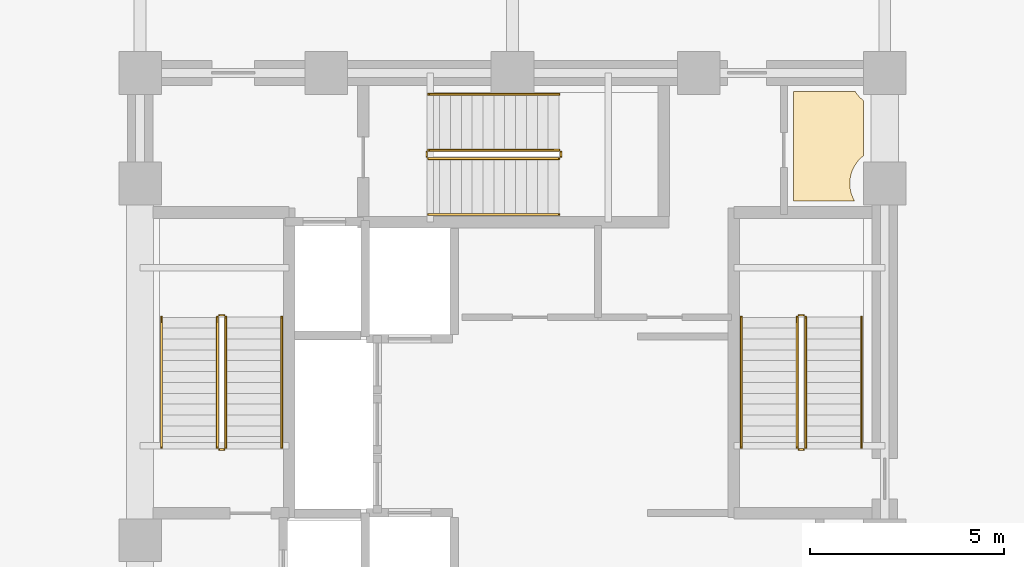
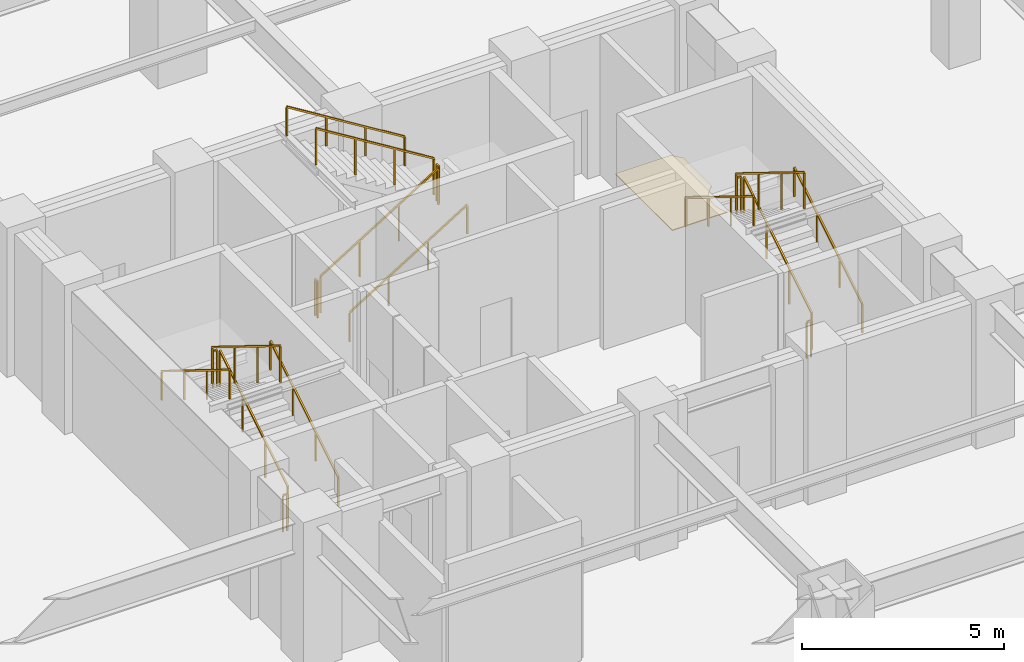
# One storey, part 8 of 12: 18 railings, 1 covering.
"""IFC4 building model written with IfcOpenShell, lengths in metres."""

from ifc_helpers import new_model, si_unit, direction, frame, origin, origin_2d, place, context, subcontext, project, spatial, polyline, rectangle, outline, extrude, material, layer, layer_set, type_object, element, save


model = new_model("IFC4")

# Units and contexts
model_context = context("Model", 3, precision=1e-05, world=origin(), true_north=direction((0.0, 1.0)))
body_context = subcontext(model_context, "Body", "Model", "MODEL_VIEW")
ifc_project = project(units=[si_unit("LENGTHUNIT", "METRE"), si_unit("AREAUNIT", "SQUARE_METRE"), si_unit("VOLUMEUNIT", "CUBIC_METRE"), si_unit("PLANEANGLEUNIT", "RADIAN"), si_unit("MASSUNIT", "GRAM", prefix="KILO")], contexts=[model_context])

# Site, building, storey
site_placement = place(None, origin())
site = spatial("IfcSite", under=ifc_project, at=site_placement, CompositionType="ELEMENT")
building_placement = place(site_placement, origin())
building = spatial("IfcBuilding", under=site, at=building_placement, Name="Vantalir Tower", CompositionType="ELEMENT")
storey_placement = place(building_placement, frame((0.0, 0.0, -4.5)))
storey = spatial("IfcBuildingStorey", under=building, at=storey_placement, Name="B01", CompositionType="ELEMENT", Elevation=-4.5)

# Covering
ifc_material_1 = material(Name="Tropical teak timber and terrazzo floor finish", Category="wood")
ifc_layer = layer(ifc_material_1, 0.02490234375)
ifc_layer_set = layer_set([ifc_layer], Name="Tropical teak timber and terrazzo floor finish")
covering_type = type_object("IfcCoveringType", Name="COV-TIMBER-STONE-25", PredefinedType="FLOORING", material=ifc_layer_set)
covering_placement = place(storey_placement, origin())
element("IfcCovering", 1, at=covering_placement, inside=storey, type_object=covering_type, Name="B01 Core Electrical Switchroom Floor Finish", PredefinedType="FLOORING", context=body_context, shape_type="SweptSolid", body=[
    extrude(outline(polyline([(40.550048828125, 31.738037109375), (40.528076171875, 31.75390625), (40.462890625, 31.81298828125), (40.404052734375, 31.8779296875), (40.35107421875, 31.948974609375), (40.342041015625, 31.965087890625), (38.75, 31.965087890625), (38.75, 29.14990234375), (40.321044921875, 29.14990234375), (40.304931640625, 29.175048828125), (40.26806640625, 29.2548828125), (40.238037109375, 29.337890625), (40.216064453125, 29.424072265625), (40.202880859375, 29.511962890625), (40.198974609375, 29.60009765625), (40.202880859375, 29.68798828125), (40.216064453125, 29.77587890625), (40.238037109375, 29.862060546875), (40.26806640625, 29.945068359375), (40.304931640625, 30.02490234375), (40.35107421875, 30.10107421875), (40.404052734375, 30.172119140625), (40.462890625, 30.237060546875), (40.528076171875, 30.2958984375), (40.550048828125, 30.31201171875), (40.550048828125, 31.738037109375)])), origin(), (0.0, 0.0, 1.0), 0.02490234375),
])

# Railings
ifc_material_2 = material(Name="Anodised aluminium and stainless steel guard", Category="steel")
railing_type_1 = type_object("IfcRailingType", Name="RAL-GUARD-1120", PredefinedType="GUARDRAIL", material=ifc_material_2)
railing_1_placement = place(storey_placement, frame((24.110107421875, 22.7900390625, 0.173095703125)))
element("IfcRailing", 2, at=railing_1_placement, inside=storey, type_object=railing_type_1, Name="B01 ST1 stair guard 1", PredefinedType="GUARDRAIL", context=body_context, shape_type="SweptSolid", body=[
    extrude(rectangle(XDim=0.048095703125, YDim=0.048095703125, at=origin_2d()), frame((0.0, 0.0, 1.09619140625), z_axis=(0.0, 0.850606129759, 0.525803396734), x_axis=(-1.0, 0.0, 0.0)), (0.0, 0.0, 1.0), 3.949951171875),
    extrude(rectangle(XDim=0.0419921875, YDim=0.0419921875, at=origin_2d()), origin(), (0.0, 0.0, 1.0), 1.072021484375),
    extrude(rectangle(XDim=0.0419921875, YDim=0.0419921875, at=origin_2d()), frame((0.0, 1.119873046875, 0.6923828125)), (0.0, 0.0, 1.0), 1.072021484375),
    extrude(rectangle(XDim=0.0419921875, YDim=0.0419921875, at=origin_2d()), frame((0.0, 2.239990234375, 1.384521484375)), (0.0, 0.0, 1.0), 1.072021484375),
    extrude(rectangle(XDim=0.0419921875, YDim=0.0419921875, at=origin_2d()), frame((0.0, 3.35986328125, 2.076904296875)), (0.0, 0.0, 1.0), 1.072021484375),
])
railing_2_placement = place(storey_placement, frame((24.06005859375, 26.199951171875, 2.25)))
element("IfcRailing", 3, at=railing_2_placement, inside=storey, type_object=railing_type_1, Name="B01 ST1 stair guard 2", PredefinedType="GUARDRAIL", context=body_context, shape_type="SweptSolid", body=[
    extrude(rectangle(XDim=0.048095703125, YDim=0.048095703125, at=origin_2d()), frame((0.0, 0.0, 1.09619140625), z_axis=(-1.0, 0.0, 0.0), x_axis=(0.0, -1.0, 0.0)), (0.0, 0.0, 1.0), 0.1201171875),
    extrude(rectangle(XDim=0.0419921875, YDim=0.0419921875, at=origin_2d()), origin(), (0.0, 0.0, 1.0), 1.072021484375),
    extrude(rectangle(XDim=0.0419921875, YDim=0.0419921875, at=origin_2d()), frame((-0.1201171875, 0.0, 0.0)), (0.0, 0.0, 1.0), 1.072021484375),
])
railing_3_placement = place(storey_placement, frame((23.889892578125, 26.14990234375, 2.423095703125)))
element("IfcRailing", 4, at=railing_3_placement, inside=storey, type_object=railing_type_1, Name="B01 ST1 stair guard 3", PredefinedType="GUARDRAIL", context=body_context, shape_type="SweptSolid", body=[
    extrude(rectangle(XDim=0.048095703125, YDim=0.048095703125, at=origin_2d()), frame((0.0, 0.0, 1.09619140625), z_axis=(0.0, -0.850606129759, 0.525803396734), x_axis=(1.0, 0.0, 0.0)), (0.0, 0.0, 1.0), 3.949951171875),
    extrude(rectangle(XDim=0.0419921875, YDim=0.0419921875, at=origin_2d()), origin(), (0.0, 0.0, 1.0), 1.072021484375),
    extrude(rectangle(XDim=0.0419921875, YDim=0.0419921875, at=origin_2d()), frame((0.0, -1.119873046875, 0.6923828125)), (0.0, 0.0, 1.0), 1.072021484375),
    extrude(rectangle(XDim=0.0419921875, YDim=0.0419921875, at=origin_2d()), frame((0.0, -2.239990234375, 1.384521484375)), (0.0, 0.0, 1.0), 1.072021484375),
    extrude(rectangle(XDim=0.0419921875, YDim=0.0419921875, at=origin_2d()), frame((0.0, -3.35986328125, 2.076904296875)), (0.0, 0.0, 1.0), 1.072021484375),
])
railing_4_placement = place(storey_placement, frame((24.06005859375, 22.739990234375, 0.0)))
element("IfcRailing", 5, at=railing_4_placement, inside=storey, type_object=railing_type_1, Name="B01 ST1 stair guard 4", PredefinedType="GUARDRAIL", context=body_context, shape_type="SweptSolid", body=[
    extrude(rectangle(XDim=0.048095703125, YDim=0.048095703125, at=origin_2d()), frame((0.0, 0.0, 1.09619140625), z_axis=(-1.0, 0.0, 0.0), x_axis=(0.0, -1.0, 0.0)), (0.0, 0.0, 1.0), 0.1201171875),
    extrude(rectangle(XDim=0.0419921875, YDim=0.0419921875, at=origin_2d()), origin(), (0.0, 0.0, 1.0), 1.072021484375),
    extrude(rectangle(XDim=0.0419921875, YDim=0.0419921875, at=origin_2d()), frame((-0.1201171875, 0.0, 0.0)), (0.0, 0.0, 1.0), 1.072021484375),
])
railing_5_placement = place(storey_placement, frame((39.06005859375, 22.7900390625, 0.173095703125)))
element("IfcRailing", 6, at=railing_5_placement, inside=storey, type_object=railing_type_1, Name="B01 ST2 stair guard 1", PredefinedType="GUARDRAIL", context=body_context, shape_type="SweptSolid", body=[
    extrude(rectangle(XDim=0.048095703125, YDim=0.048095703125, at=origin_2d()), frame((0.0, 0.0, 1.09619140625), z_axis=(0.0, 0.850606129759, 0.525803396734), x_axis=(-1.0, 0.0, 0.0)), (0.0, 0.0, 1.0), 3.949951171875),
    extrude(rectangle(XDim=0.0419921875, YDim=0.0419921875, at=origin_2d()), origin(), (0.0, 0.0, 1.0), 1.072021484375),
    extrude(rectangle(XDim=0.0419921875, YDim=0.0419921875, at=origin_2d()), frame((0.0, 1.119873046875, 0.6923828125)), (0.0, 0.0, 1.0), 1.072021484375),
    extrude(rectangle(XDim=0.0419921875, YDim=0.0419921875, at=origin_2d()), frame((0.0, 2.239990234375, 1.384521484375)), (0.0, 0.0, 1.0), 1.072021484375),
    extrude(rectangle(XDim=0.0419921875, YDim=0.0419921875, at=origin_2d()), frame((0.0, 3.35986328125, 2.076904296875)), (0.0, 0.0, 1.0), 1.072021484375),
])
railing_6_placement = place(storey_placement, frame((39.010009765625, 26.199951171875, 2.25)))
element("IfcRailing", 7, at=railing_6_placement, inside=storey, type_object=railing_type_1, Name="B01 ST2 stair guard 2", PredefinedType="GUARDRAIL", context=body_context, shape_type="SweptSolid", body=[
    extrude(rectangle(XDim=0.048095703125, YDim=0.048095703125, at=origin_2d()), frame((0.0, 0.0, 1.09619140625), z_axis=(-1.0, 0.0, 0.0), x_axis=(0.0, -1.0, 0.0)), (0.0, 0.0, 1.0), 0.1201171875),
    extrude(rectangle(XDim=0.0419921875, YDim=0.0419921875, at=origin_2d()), origin(), (0.0, 0.0, 1.0), 1.072021484375),
    extrude(rectangle(XDim=0.0419921875, YDim=0.0419921875, at=origin_2d()), frame((-0.1201171875, 0.0, 0.0)), (0.0, 0.0, 1.0), 1.072021484375),
])
railing_7_placement = place(storey_placement, frame((38.840087890625, 26.14990234375, 2.423095703125)))
element("IfcRailing", 8, at=railing_7_placement, inside=storey, type_object=railing_type_1, Name="B01 ST2 stair guard 3", PredefinedType="GUARDRAIL", context=body_context, shape_type="SweptSolid", body=[
    extrude(rectangle(XDim=0.048095703125, YDim=0.048095703125, at=origin_2d()), frame((0.0, 0.0, 1.09619140625), z_axis=(0.0, -0.850606129759, 0.525803396734), x_axis=(1.0, 0.0, 0.0)), (0.0, 0.0, 1.0), 3.949951171875),
    extrude(rectangle(XDim=0.0419921875, YDim=0.0419921875, at=origin_2d()), origin(), (0.0, 0.0, 1.0), 1.072021484375),
    extrude(rectangle(XDim=0.0419921875, YDim=0.0419921875, at=origin_2d()), frame((0.0, -1.119873046875, 0.6923828125)), (0.0, 0.0, 1.0), 1.072021484375),
    extrude(rectangle(XDim=0.0419921875, YDim=0.0419921875, at=origin_2d()), frame((0.0, -2.239990234375, 1.384521484375)), (0.0, 0.0, 1.0), 1.072021484375),
    extrude(rectangle(XDim=0.0419921875, YDim=0.0419921875, at=origin_2d()), frame((0.0, -3.35986328125, 2.076904296875)), (0.0, 0.0, 1.0), 1.072021484375),
])
railing_8_placement = place(storey_placement, frame((39.010009765625, 22.739990234375, 0.0)))
element("IfcRailing", 9, at=railing_8_placement, inside=storey, type_object=railing_type_1, Name="B01 ST2 stair guard 4", PredefinedType="GUARDRAIL", context=body_context, shape_type="SweptSolid", body=[
    extrude(rectangle(XDim=0.048095703125, YDim=0.048095703125, at=origin_2d()), frame((0.0, 0.0, 1.09619140625), z_axis=(-1.0, 0.0, 0.0), x_axis=(0.0, -1.0, 0.0)), (0.0, 0.0, 1.0), 0.1201171875),
    extrude(rectangle(XDim=0.0419921875, YDim=0.0419921875, at=origin_2d()), origin(), (0.0, 0.0, 1.0), 1.072021484375),
    extrude(rectangle(XDim=0.0419921875, YDim=0.0419921875, at=origin_2d()), frame((-0.1201171875, 0.0, 0.0)), (0.0, 0.0, 1.0), 1.072021484375),
])
railing_9_placement = place(storey_placement, frame((29.340087890625, 30.239990234375, 0.173095703125)))
element("IfcRailing", 10, at=railing_9_placement, inside=storey, type_object=railing_type_1, Name="B01 ST3 stair guard 1", PredefinedType="GUARDRAIL", context=body_context, shape_type="SweptSolid", body=[
    extrude(rectangle(XDim=0.048095703125, YDim=0.048095703125, at=origin_2d()), frame((0.0, 0.0, 1.09619140625), z_axis=(0.850606129759, 0.0, 0.525803396734), x_axis=(0.0, 1.0, 0.0)), (0.0, 0.0, 1.0), 3.949951171875),
    extrude(rectangle(XDim=0.0419921875, YDim=0.0419921875, at=origin_2d()), origin(), (0.0, 0.0, 1.0), 1.072021484375),
    extrude(rectangle(XDim=0.0419921875, YDim=0.0419921875, at=origin_2d()), frame((1.119873046875, 0.0, 0.6923828125)), (0.0, 0.0, 1.0), 1.072021484375),
    extrude(rectangle(XDim=0.0419921875, YDim=0.0419921875, at=origin_2d()), frame((2.239990234375, 0.0, 1.384521484375)), (0.0, 0.0, 1.0), 1.072021484375),
    extrude(rectangle(XDim=0.0419921875, YDim=0.0419921875, at=origin_2d()), frame((3.35986328125, 0.0, 2.076904296875)), (0.0, 0.0, 1.0), 1.072021484375),
])
railing_10_placement = place(storey_placement, frame((32.75, 30.2900390625, 2.25)))
element("IfcRailing", 11, at=railing_10_placement, inside=storey, type_object=railing_type_1, Name="B01 ST3 stair guard 2", PredefinedType="GUARDRAIL", context=body_context, shape_type="SweptSolid", body=[
    extrude(rectangle(XDim=0.048095703125, YDim=0.048095703125, at=origin_2d()), frame((0.0, 0.0, 1.09619140625), z_axis=(0.0, 1.0, 0.0), x_axis=(-1.0, 0.0, 0.0)), (0.0, 0.0, 1.0), 0.119873046875),
    extrude(rectangle(XDim=0.0419921875, YDim=0.0419921875, at=origin_2d()), origin(), (0.0, 0.0, 1.0), 1.072021484375),
    extrude(rectangle(XDim=0.0419921875, YDim=0.0419921875, at=origin_2d()), frame((0.0, 0.119873046875, 0.0)), (0.0, 0.0, 1.0), 1.072021484375),
])
railing_11_placement = place(storey_placement, frame((32.699951171875, 30.4599609375, 2.423095703125)))
element("IfcRailing", 12, at=railing_11_placement, inside=storey, type_object=railing_type_1, Name="B01 ST3 stair guard 3", PredefinedType="GUARDRAIL", context=body_context, shape_type="SweptSolid", body=[
    extrude(rectangle(XDim=0.048095703125, YDim=0.048095703125, at=origin_2d()), frame((0.0, 0.0, 1.09619140625), z_axis=(-0.850606129759, 0.0, 0.525803396734), x_axis=(0.0, -1.0, 0.0)), (0.0, 0.0, 1.0), 3.949951171875),
    extrude(rectangle(XDim=0.0419921875, YDim=0.0419921875, at=origin_2d()), origin(), (0.0, 0.0, 1.0), 1.072021484375),
    extrude(rectangle(XDim=0.0419921875, YDim=0.0419921875, at=origin_2d()), frame((-1.119873046875, 0.0, 0.6923828125)), (0.0, 0.0, 1.0), 1.072021484375),
    extrude(rectangle(XDim=0.0419921875, YDim=0.0419921875, at=origin_2d()), frame((-2.239990234375, 0.0, 1.384521484375)), (0.0, 0.0, 1.0), 1.072021484375),
    extrude(rectangle(XDim=0.0419921875, YDim=0.0419921875, at=origin_2d()), frame((-3.35986328125, 0.0, 2.076904296875)), (0.0, 0.0, 1.0), 1.072021484375),
])
railing_12_placement = place(storey_placement, frame((29.2900390625, 30.2900390625, 0.0)))
element("IfcRailing", 13, at=railing_12_placement, inside=storey, type_object=railing_type_1, Name="B01 ST3 stair guard 4", PredefinedType="GUARDRAIL", context=body_context, shape_type="SweptSolid", body=[
    extrude(rectangle(XDim=0.048095703125, YDim=0.048095703125, at=origin_2d()), frame((0.0, 0.0, 1.09619140625), z_axis=(0.0, 1.0, 0.0), x_axis=(-1.0, 0.0, 0.0)), (0.0, 0.0, 1.0), 0.119873046875),
    extrude(rectangle(XDim=0.0419921875, YDim=0.0419921875, at=origin_2d()), origin(), (0.0, 0.0, 1.0), 1.072021484375),
    extrude(rectangle(XDim=0.0419921875, YDim=0.0419921875, at=origin_2d()), frame((0.0, 0.119873046875, 0.0)), (0.0, 0.0, 1.0), 1.072021484375),
])
ifc_material_3 = material(Name="Brushed stainless steel tubular handrail", Category="steel")
railing_type_2 = type_object("IfcRailingType", Name="RAL-HANDRAIL-900", PredefinedType="HANDRAIL", material=ifc_material_3)
railing_13_placement = place(storey_placement, frame((25.550048828125, 22.7900390625, 0.173095703125)))
element("IfcRailing", 14, at=railing_13_placement, inside=storey, type_object=railing_type_2, Name="B01 ST1 stair handrail 1", PredefinedType="HANDRAIL", context=body_context, shape_type="SweptSolid", body=[
    extrude(rectangle(XDim=0.048095703125, YDim=0.048095703125, at=origin_2d()), frame((0.0, 0.0, 0.8759765625), z_axis=(0.0, 0.850606129759, 0.525803396734), x_axis=(-1.0, 0.0, 0.0)), (0.0, 0.0, 1.0), 3.949951171875),
    extrude(rectangle(XDim=0.0419921875, YDim=0.0419921875, at=origin_2d()), origin(), (0.0, 0.0, 1.0), 0.851806640625),
    extrude(rectangle(XDim=0.0419921875, YDim=0.0419921875, at=origin_2d()), frame((0.0, 1.119873046875, 0.6923828125)), (0.0, 0.0, 1.0), 0.851806640625),
    extrude(rectangle(XDim=0.0419921875, YDim=0.0419921875, at=origin_2d()), frame((0.0, 2.239990234375, 1.384521484375)), (0.0, 0.0, 1.0), 0.851806640625),
    extrude(rectangle(XDim=0.0419921875, YDim=0.0419921875, at=origin_2d()), frame((0.0, 3.35986328125, 2.076904296875)), (0.0, 0.0, 1.0), 0.851806640625),
])
railing_14_placement = place(storey_placement, frame((22.449951171875, 26.14990234375, 2.423095703125)))
element("IfcRailing", 15, at=railing_14_placement, inside=storey, type_object=railing_type_2, Name="B01 ST1 stair handrail 2", PredefinedType="HANDRAIL", context=body_context, shape_type="SweptSolid", body=[
    extrude(rectangle(XDim=0.048095703125, YDim=0.048095703125, at=origin_2d()), frame((0.0, 0.0, 0.8759765625), z_axis=(0.0, -0.850606129759, 0.525803396734), x_axis=(1.0, 0.0, 0.0)), (0.0, 0.0, 1.0), 3.949951171875),
    extrude(rectangle(XDim=0.0419921875, YDim=0.0419921875, at=origin_2d()), origin(), (0.0, 0.0, 1.0), 0.851806640625),
    extrude(rectangle(XDim=0.0419921875, YDim=0.0419921875, at=origin_2d()), frame((0.0, -1.119873046875, 0.6923828125)), (0.0, 0.0, 1.0), 0.851806640625),
    extrude(rectangle(XDim=0.0419921875, YDim=0.0419921875, at=origin_2d()), frame((0.0, -2.239990234375, 1.384521484375)), (0.0, 0.0, 1.0), 0.851806640625),
    extrude(rectangle(XDim=0.0419921875, YDim=0.0419921875, at=origin_2d()), frame((0.0, -3.35986328125, 2.076904296875)), (0.0, 0.0, 1.0), 0.851806640625),
])
railing_15_placement = place(storey_placement, frame((40.5, 22.7900390625, 0.173095703125)))
element("IfcRailing", 16, at=railing_15_placement, inside=storey, type_object=railing_type_2, Name="B01 ST2 stair handrail 1", PredefinedType="HANDRAIL", context=body_context, shape_type="SweptSolid", body=[
    extrude(rectangle(XDim=0.048095703125, YDim=0.048095703125, at=origin_2d()), frame((0.0, 0.0, 0.8759765625), z_axis=(0.0, 0.850606129759, 0.525803396734), x_axis=(-1.0, 0.0, 0.0)), (0.0, 0.0, 1.0), 3.949951171875),
    extrude(rectangle(XDim=0.0419921875, YDim=0.0419921875, at=origin_2d()), origin(), (0.0, 0.0, 1.0), 0.851806640625),
    extrude(rectangle(XDim=0.0419921875, YDim=0.0419921875, at=origin_2d()), frame((0.0, 1.119873046875, 0.6923828125)), (0.0, 0.0, 1.0), 0.851806640625),
    extrude(rectangle(XDim=0.0419921875, YDim=0.0419921875, at=origin_2d()), frame((0.0, 2.239990234375, 1.384521484375)), (0.0, 0.0, 1.0), 0.851806640625),
    extrude(rectangle(XDim=0.0419921875, YDim=0.0419921875, at=origin_2d()), frame((0.0, 3.35986328125, 2.076904296875)), (0.0, 0.0, 1.0), 0.851806640625),
])
railing_16_placement = place(storey_placement, frame((37.39990234375, 26.14990234375, 2.423095703125)))
element("IfcRailing", 17, at=railing_16_placement, inside=storey, type_object=railing_type_2, Name="B01 ST2 stair handrail 2", PredefinedType="HANDRAIL", context=body_context, shape_type="SweptSolid", body=[
    extrude(rectangle(XDim=0.048095703125, YDim=0.048095703125, at=origin_2d()), frame((0.0, 0.0, 0.8759765625), z_axis=(0.0, -0.850606129759, 0.525803396734), x_axis=(1.0, 0.0, 0.0)), (0.0, 0.0, 1.0), 3.949951171875),
    extrude(rectangle(XDim=0.0419921875, YDim=0.0419921875, at=origin_2d()), origin(), (0.0, 0.0, 1.0), 0.851806640625),
    extrude(rectangle(XDim=0.0419921875, YDim=0.0419921875, at=origin_2d()), frame((0.0, -1.119873046875, 0.6923828125)), (0.0, 0.0, 1.0), 0.851806640625),
    extrude(rectangle(XDim=0.0419921875, YDim=0.0419921875, at=origin_2d()), frame((0.0, -2.239990234375, 1.384521484375)), (0.0, 0.0, 1.0), 0.851806640625),
    extrude(rectangle(XDim=0.0419921875, YDim=0.0419921875, at=origin_2d()), frame((0.0, -3.35986328125, 2.076904296875)), (0.0, 0.0, 1.0), 0.851806640625),
])
railing_17_placement = place(storey_placement, frame((29.340087890625, 28.800048828125, 0.173095703125)))
element("IfcRailing", 18, at=railing_17_placement, inside=storey, type_object=railing_type_2, Name="B01 ST3 stair handrail 1", PredefinedType="HANDRAIL", context=body_context, shape_type="SweptSolid", body=[
    extrude(rectangle(XDim=0.048095703125, YDim=0.048095703125, at=origin_2d()), frame((0.0, 0.0, 0.8759765625), z_axis=(0.850606129759, 0.0, 0.525803396734), x_axis=(0.0, 1.0, 0.0)), (0.0, 0.0, 1.0), 3.949951171875),
    extrude(rectangle(XDim=0.0419921875, YDim=0.0419921875, at=origin_2d()), origin(), (0.0, 0.0, 1.0), 0.851806640625),
    extrude(rectangle(XDim=0.0419921875, YDim=0.0419921875, at=origin_2d()), frame((1.119873046875, 0.0, 0.6923828125)), (0.0, 0.0, 1.0), 0.851806640625),
    extrude(rectangle(XDim=0.0419921875, YDim=0.0419921875, at=origin_2d()), frame((2.239990234375, 0.0, 1.384521484375)), (0.0, 0.0, 1.0), 0.851806640625),
    extrude(rectangle(XDim=0.0419921875, YDim=0.0419921875, at=origin_2d()), frame((3.35986328125, 0.0, 2.076904296875)), (0.0, 0.0, 1.0), 0.851806640625),
])
railing_18_placement = place(storey_placement, frame((32.699951171875, 31.89990234375, 2.423095703125)))
element("IfcRailing", 19, at=railing_18_placement, inside=storey, type_object=railing_type_2, Name="B01 ST3 stair handrail 2", PredefinedType="HANDRAIL", context=body_context, shape_type="SweptSolid", body=[
    extrude(rectangle(XDim=0.048095703125, YDim=0.048095703125, at=origin_2d()), frame((0.0, 0.0, 0.8759765625), z_axis=(-0.850606129759, 0.0, 0.525803396734), x_axis=(0.0, -1.0, 0.0)), (0.0, 0.0, 1.0), 3.949951171875),
    extrude(rectangle(XDim=0.0419921875, YDim=0.0419921875, at=origin_2d()), origin(), (0.0, 0.0, 1.0), 0.851806640625),
    extrude(rectangle(XDim=0.0419921875, YDim=0.0419921875, at=origin_2d()), frame((-1.119873046875, 0.0, 0.6923828125)), (0.0, 0.0, 1.0), 0.851806640625),
    extrude(rectangle(XDim=0.0419921875, YDim=0.0419921875, at=origin_2d()), frame((-2.239990234375, 0.0, 1.384521484375)), (0.0, 0.0, 1.0), 0.851806640625),
    extrude(rectangle(XDim=0.0419921875, YDim=0.0419921875, at=origin_2d()), frame((-3.35986328125, 0.0, 2.076904296875)), (0.0, 0.0, 1.0), 0.851806640625),
])

save(model, "model.ifc")
